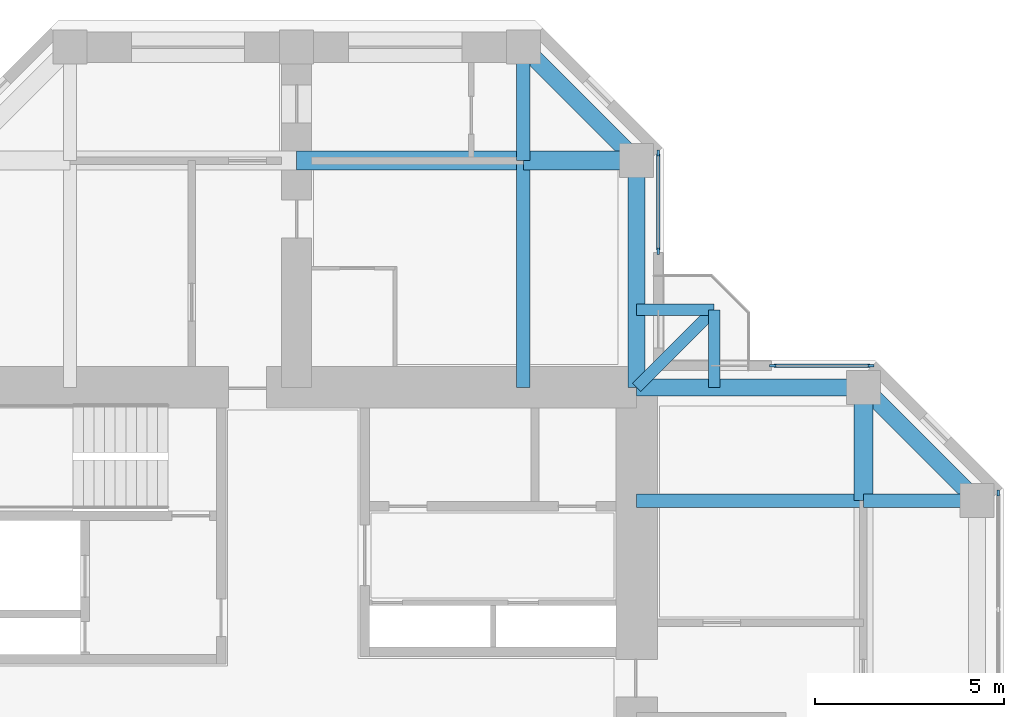
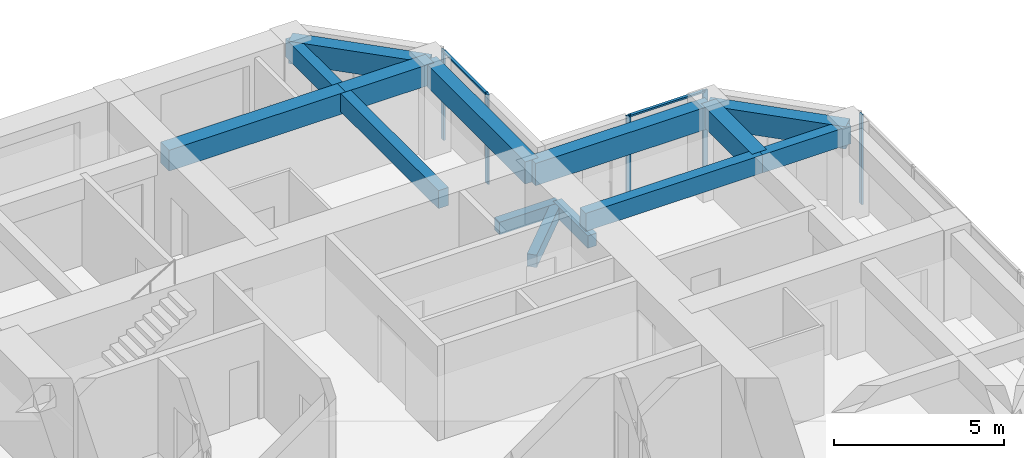
# One storey, part 6 of 13: 14 beams, 7 members, 3 elements without a shape of their own.
"""IFC4 building model written with IfcOpenShell, lengths in metres."""

from ifc_helpers import new_model, si_unit, direction, frame, origin, origin_2d, place, context, subcontext, project, spatial, rectangle, extrude, material, material_profile, profile_set, type_object, element, aggregate, save


model = new_model("IFC4")

# Units and contexts
model_context = context("Model", 3, precision=1e-05, world=origin(), true_north=direction((0.0, 1.0)))
body_context = subcontext(model_context, "Body", "Model", "MODEL_VIEW")
ifc_project = project(units=[si_unit("LENGTHUNIT", "METRE"), si_unit("AREAUNIT", "SQUARE_METRE"), si_unit("VOLUMEUNIT", "CUBIC_METRE"), si_unit("PLANEANGLEUNIT", "RADIAN"), si_unit("MASSUNIT", "GRAM", prefix="KILO")], contexts=[model_context])

# Site, building, storey
site_placement = place(None, origin())
site = spatial("IfcSite", under=ifc_project, at=site_placement, CompositionType="ELEMENT")
building_placement = place(site_placement, origin())
building = spatial("IfcBuilding", under=site, at=building_placement, Name="Torre Cruceta", CompositionType="ELEMENT")
storey_placement = place(building_placement, frame((0.0, 0.0, 189.89990234375)))
storey = spatial("IfcBuildingStorey", under=building, at=storey_placement, Name="L47", CompositionType="ELEMENT", Elevation=189.89990234375)

# Beams
ifc_material_1 = material(Name="Concrete G60 (fck 60 MPa)", Category="concrete")
ifc_material_profile_1 = material_profile(ifc_material_1, rectangle(XDim=0.300048828125, YDim=0.449951171875, at=origin_2d()), Name="RC 300X450")
ifc_profile_set_1 = profile_set([ifc_material_profile_1], Name="Concrete G60 (fck 60 MPa)")
beam_type_1 = type_object("IfcBeamType", Name="BALCONY CANTILEVER BEAM RC 300X450", PredefinedType="BEAM", material=ifc_profile_set_1)
beam_1_placement = place(storey_placement, frame((9.0, 9.0, -0.40478515625), z_axis=(0.707106781187, 0.707106781187, 0.0), x_axis=(-0.707106781187, 0.707106781187, 0.0)))
element("IfcBeam", 1, at=beam_1_placement, inside=storey, type_object=beam_type_1, Name="BB1 balcony beam L47 E", PredefinedType="BEAM", context=body_context, shape_type="SweptSolid", body=[
    extrude(rectangle(XDim=0.300048828125, YDim=0.449951171875, at=origin_2d()), origin(), (0.0, 0.0, 1.0), 2.89990234375),
])
for number, where, z_axis, x_axis, name in (
    (2, (11.050537109375, 9.0, -0.40478515625), (0.0, 1.0, 0.0), (-1.0, 0.0, 0.0), "BB1 balcony edge beam L47 E-X"),
    (3, (9.0, 11.050537109375, -0.40478515625), (1.0, 0.0, 0.0), (0.0, 1.0, 0.0), "BB1 balcony edge beam L47 E-Y"),
):
    element("IfcBeam", number, at=place(storey_placement, frame(where, z_axis=z_axis, x_axis=x_axis)), inside=storey, type_object=beam_type_1, Name=name, PredefinedType="BEAM", context=body_context, shape_type="SweptSolid", body=[
        extrude(rectangle(XDim=0.300048828125, YDim=0.449951171875, at=origin_2d()), origin(), (0.0, 0.0, 1.0), 2.050537109375),
    ])
ifc_material_2 = material(Name="Concrete G60 (fck 60 MPa)", Category="concrete")
ifc_material_profile_2 = material_profile(ifc_material_2, rectangle(XDim=0.35009765625, YDim=0.64990234375, at=origin_2d()), Name="RC 350X650")
ifc_profile_set_2 = profile_set([ifc_material_profile_2], Name="Concrete G60 (fck 60 MPa)")
beam_type_2 = type_object("IfcBeamType", Name="COLUMN LINE BEAM RC 350X650", PredefinedType="BEAM", material=ifc_profile_set_2)
beam_2_placement = place(storey_placement, frame((6.0, 9.0, 2.89501953125), z_axis=(0.0, 1.0, 0.0), x_axis=(-1.0, 0.0, 0.0)))
element("IfcBeam", 4, at=beam_2_placement, inside=storey, type_object=beam_type_2, Name="LB7 L47 N col- 1", PredefinedType="BEAM", context=body_context, shape_type="SweptSolid", body=[
    extrude(rectangle(XDim=0.35009765625, YDim=0.64990234375, at=origin_2d()), origin(), (0.0, 0.0, 1.0), 6.0),
])
beam_3_placement = place(storey_placement, frame((6.0, 15.0, 2.89501953125), z_axis=(0.0, 1.0, 0.0), x_axis=(-1.0, 0.0, 0.0)))
element("IfcBeam", 5, at=beam_3_placement, inside=storey, type_object=beam_type_2, Name="LB7 L47 N col- 2", PredefinedType="BEAM", context=body_context, shape_type="SweptSolid", body=[
    extrude(rectangle(XDim=0.35009765625, YDim=0.64990234375, at=origin_2d()), origin(), (0.0, 0.0, 1.0), 3.0),
])
beam_4_placement = place(storey_placement, frame((9.0, 6.0, 2.89501953125), z_axis=(1.0, 0.0, 0.0), x_axis=(0.0, 1.0, 0.0)))
element("IfcBeam", 6, at=beam_4_placement, inside=storey, type_object=beam_type_2, Name="LB7 L47 E col+ 1", PredefinedType="BEAM", context=body_context, shape_type="SweptSolid", body=[
    extrude(rectangle(XDim=0.35009765625, YDim=0.64990234375, at=origin_2d()), origin(), (0.0, 0.0, 1.0), 6.0),
])
beam_5_placement = place(storey_placement, frame((15.0, 6.0, 2.89501953125), z_axis=(1.0, 0.0, 0.0), x_axis=(0.0, 1.0, 0.0)))
element("IfcBeam", 7, at=beam_5_placement, inside=storey, type_object=beam_type_2, Name="LB7 L47 E col+ 2", PredefinedType="BEAM", context=body_context, shape_type="SweptSolid", body=[
    extrude(rectangle(XDim=0.35009765625, YDim=0.64990234375, at=origin_2d()), origin(), (0.0, 0.0, 1.0), 3.0),
])
ifc_material_3 = material(Name="Concrete G60 (fck 60 MPa)", Category="concrete")
ifc_material_profile_3 = material_profile(ifc_material_3, rectangle(XDim=0.5, YDim=0.75, at=origin_2d()), Name="RC 500X750")
ifc_profile_set_3 = profile_set([ifc_material_profile_3], Name="Concrete G60 (fck 60 MPa)")
beam_type_3 = type_object("IfcBeamType", Name="CROSS BEAM RC 500X750", PredefinedType="BEAM", material=ifc_profile_set_3)
beam_6_placement = place(storey_placement, frame((9.0, 15.0, 2.84521484375), z_axis=(-1.0, 0.0, 0.0), x_axis=(0.0, -1.0, 0.0)))
element("IfcBeam", 8, at=beam_6_placement, inside=storey, type_object=beam_type_3, Name="GB6 L47 N cross15 1", PredefinedType="BEAM", context=body_context, shape_type="SweptSolid", body=[
    extrude(rectangle(XDim=0.5, YDim=0.75, at=origin_2d()), origin(), (0.0, 0.0, 1.0), 3.0),
])
beam_7_placement = place(storey_placement, frame((6.0, 15.0, 2.84521484375), z_axis=(-1.0, 0.0, 0.0), x_axis=(0.0, -1.0, 0.0)))
element("IfcBeam", 9, at=beam_7_placement, inside=storey, type_object=beam_type_3, Name="GB6 L47 N cross15 2", PredefinedType="BEAM", context=body_context, shape_type="SweptSolid", body=[
    extrude(rectangle(XDim=0.5, YDim=0.75, at=origin_2d()), origin(), (0.0, 0.0, 1.0), 6.0),
])
beam_8_placement = place(storey_placement, frame((15.0, 6.0, 2.84521484375), z_axis=(0.0, 1.0, 0.0), x_axis=(-1.0, 0.0, 0.0)))
element("IfcBeam", 10, at=beam_8_placement, inside=storey, type_object=beam_type_3, Name="GB6 L47 E cross15 4", PredefinedType="BEAM", context=body_context, shape_type="SweptSolid", body=[
    extrude(rectangle(XDim=0.5, YDim=0.75, at=origin_2d()), origin(), (0.0, 0.0, 1.0), 3.0),
])

# Curtain wall, member
ifc_material_4 = material(Name="Aluminium unitised curtain wall", Category="aluminium")
curtain_wall_type = type_object("IfcCurtainWallType", Name="CURTAIN WALL CW-C CO-LIVING", PredefinedType="USERDEFINED", material=ifc_material_4)
curtain_wall_1_placement = place(storey_placement, origin())
curtain_wall_1 = element("IfcCurtainWall", 11, at=curtain_wall_1_placement, inside=storey, type_object=curtain_wall_type, Name="CW-C L47 E tip 02", ObjectType="UNITISED", PredefinedType="USERDEFINED")
ifc_material_5 = material(Name="Aluminium mullion", Category="aluminium")
ifc_material_profile_4 = material_profile(ifc_material_5, rectangle(XDim=0.06005859375, YDim=0.159912109375, at=origin_2d()), Name="AL 60X160")
ifc_profile_set_4 = profile_set([ifc_material_profile_4], Name="Aluminium mullion")
member_type_1 = type_object("IfcMemberType", Name="CW-C MULLION 60X160", PredefinedType="MULLION", material=ifc_profile_set_4)
member_1_placement = place(storey_placement, frame((18.570068359375, 6.2060546875, 0.0), z_axis=(0.0, 0.0, 1.0), x_axis=(-1.0, 0.0, 0.0)))
member_1 = element("IfcMember", 12, at=member_1_placement, type_object=member_type_1, Name="CW-C mullion 5", PredefinedType="MULLION", context=body_context, shape_type="SweptSolid", body=[
    extrude(rectangle(XDim=0.06005859375, YDim=0.159912109375, at=origin_2d()), origin(), (0.0, 0.0, 1.0), 3.22021484375),
])
aggregate(curtain_wall_1, [member_1])

# Curtain wall, members
curtain_wall_2_placement = place(storey_placement, origin())
curtain_wall_2 = element("IfcCurtainWall", 13, at=curtain_wall_2_placement, inside=storey, type_object=curtain_wall_type, Name="CW-C L47 E side 04", ObjectType="UNITISED", PredefinedType="USERDEFINED")
member_2_placement = place(storey_placement, frame((15.2060546875, 9.570068359375, 0.0), z_axis=(0.0, 0.0, 1.0), x_axis=(0.0, -1.0, 0.0)))
member_2 = element("IfcMember", 14, at=member_2_placement, type_object=member_type_1, Name="CW-C mullion 1", PredefinedType="MULLION", context=body_context, shape_type="SweptSolid", body=[
    extrude(rectangle(XDim=0.06005859375, YDim=0.159912109375, at=origin_2d()), origin(), (0.0, 0.0, 1.0), 3.22021484375),
])
member_3_placement = place(storey_placement, frame((12.60009765625, 9.570068359375, 0.0), z_axis=(0.0, 0.0, 1.0), x_axis=(0.0, -1.0, 0.0)))
member_3 = element("IfcMember", 15, at=member_3_placement, type_object=member_type_1, Name="CW-C mullion 2", PredefinedType="MULLION", context=body_context, shape_type="SweptSolid", body=[
    extrude(rectangle(XDim=0.06005859375, YDim=0.159912109375, at=origin_2d()), origin(), (0.0, 0.0, 1.0), 3.22021484375),
])

curtain_wall_3_placement = place(storey_placement, origin())
curtain_wall_3 = element("IfcCurtainWall", 16, at=curtain_wall_3_placement, inside=storey, type_object=curtain_wall_type, Name="CW-C L47 N side 05", ObjectType="UNITISED", PredefinedType="USERDEFINED")
member_4_placement = place(storey_placement, frame((9.570068359375, 12.60009765625, 0.0), z_axis=(0.0, 0.0, 1.0), x_axis=(-1.0, 0.0, 0.0)))
member_4 = element("IfcMember", 17, at=member_4_placement, type_object=member_type_1, Name="CW-C mullion 1", PredefinedType="MULLION", context=body_context, shape_type="SweptSolid", body=[
    extrude(rectangle(XDim=0.06005859375, YDim=0.159912109375, at=origin_2d()), origin(), (0.0, 0.0, 1.0), 3.22021484375),
])
member_5_placement = place(storey_placement, frame((9.570068359375, 15.2060546875, 0.0), z_axis=(0.0, 0.0, 1.0), x_axis=(-1.0, 0.0, 0.0)))
member_5 = element("IfcMember", 18, at=member_5_placement, type_object=member_type_1, Name="CW-C mullion 2", PredefinedType="MULLION", context=body_context, shape_type="SweptSolid", body=[
    extrude(rectangle(XDim=0.06005859375, YDim=0.159912109375, at=origin_2d()), origin(), (0.0, 0.0, 1.0), 3.22021484375),
])

# Member
ifc_material_6 = material(Name="Aluminium transom", Category="aluminium")
ifc_material_profile_5 = material_profile(ifc_material_6, rectangle(XDim=0.10009765625, YDim=0.06005859375, at=origin_2d()), Name="AL 100X60")
ifc_profile_set_5 = profile_set([ifc_material_profile_5], Name="Aluminium transom")
member_type_2 = type_object("IfcMemberType", Name="CW-C TRANSOM 60X100", PredefinedType="USERDEFINED", material=ifc_profile_set_5)
member_6_placement = place(storey_placement, frame((15.176025390625, 9.570068359375, 3.190185546875), z_axis=(-1.0, 0.0, 0.0), x_axis=(0.0, -1.0, 0.0)))
member_6 = element("IfcMember", 19, at=member_6_placement, type_object=member_type_2, Name="CW-C transom 1", ObjectType="TRANSOM", PredefinedType="USERDEFINED", context=body_context, shape_type="SweptSolid", body=[
    extrude(rectangle(XDim=0.10009765625, YDim=0.06005859375, at=origin_2d()), origin(), (0.0, 0.0, 1.0), 2.546142578125),
])

aggregate(curtain_wall_2, [member_2, member_3, member_6])

member_7_placement = place(storey_placement, frame((9.570068359375, 12.6298828125, 3.190185546875), z_axis=(0.0, 1.0, 0.0), x_axis=(-1.0, 0.0, 0.0)))
member_7 = element("IfcMember", 20, at=member_7_placement, type_object=member_type_2, Name="CW-C transom 1", ObjectType="TRANSOM", PredefinedType="USERDEFINED", context=body_context, shape_type="SweptSolid", body=[
    extrude(rectangle(XDim=0.10009765625, YDim=0.06005859375, at=origin_2d()), origin(), (0.0, 0.0, 1.0), 2.546142578125),
])

aggregate(curtain_wall_3, [member_4, member_5, member_7])

# Beams
ifc_material_7 = material(Name="Concrete G60 (fck 60 MPa)", Category="concrete")
ifc_material_profile_6 = material_profile(ifc_material_7, rectangle(XDim=0.449951171875, YDim=0.800048828125, at=origin_2d()), Name="RC 450X800")
ifc_profile_set_6 = profile_set([ifc_material_profile_6], Name="Concrete G60 (fck 60 MPa)")
beam_type_4 = type_object("IfcBeamType", Name="SPANDREL BEAM RC 450X800", PredefinedType="SPANDREL", material=ifc_profile_set_6)
beam_9_placement = place(storey_placement, frame((9.0, 9.0, 2.820068359375), z_axis=(0.0, 1.0, 0.0), x_axis=(-1.0, 0.0, 0.0)))
element("IfcBeam", 21, at=beam_9_placement, inside=storey, type_object=beam_type_4, Name="SB6 L47 N side- 1", PredefinedType="SPANDREL", context=body_context, shape_type="SweptSolid", body=[
    extrude(rectangle(XDim=0.449951171875, YDim=0.800048828125, at=origin_2d()), origin(), (0.0, 0.0, 1.0), 6.0),
])
beam_10_placement = place(storey_placement, frame((9.0, 15.0, 2.820068359375), z_axis=(-0.707106781187, 0.707106781187, 0.0), x_axis=(-0.707106781187, -0.707106781187, 0.0)))
element("IfcBeam", 22, at=beam_10_placement, inside=storey, type_object=beam_type_4, Name="SB6 L47 N side- 2", PredefinedType="SPANDREL", context=body_context, shape_type="SweptSolid", body=[
    extrude(rectangle(XDim=0.449951171875, YDim=0.800048828125, at=origin_2d()), origin(), (0.0, 0.0, 1.0), 4.24267578125),
])
beam_11_placement = place(storey_placement, frame((9.0, 9.0, 2.820068359375), z_axis=(1.0, 0.0, 0.0), x_axis=(0.0, 1.0, 0.0)))
element("IfcBeam", 23, at=beam_11_placement, inside=storey, type_object=beam_type_4, Name="SB6 L47 E side+ 1", PredefinedType="SPANDREL", context=body_context, shape_type="SweptSolid", body=[
    extrude(rectangle(XDim=0.449951171875, YDim=0.800048828125, at=origin_2d()), origin(), (0.0, 0.0, 1.0), 6.0),
])
beam_12_placement = place(storey_placement, frame((15.0, 9.0, 2.820068359375), z_axis=(0.707106781187, -0.707106781187, 0.0), x_axis=(0.707106781187, 0.707106781187, 0.0)))
element("IfcBeam", 24, at=beam_12_placement, inside=storey, type_object=beam_type_4, Name="SB6 L47 E side+ 2", PredefinedType="SPANDREL", context=body_context, shape_type="SweptSolid", body=[
    extrude(rectangle(XDim=0.449951171875, YDim=0.800048828125, at=origin_2d()), origin(), (0.0, 0.0, 1.0), 4.24267578125),
])

save(model, "model.ifc")
